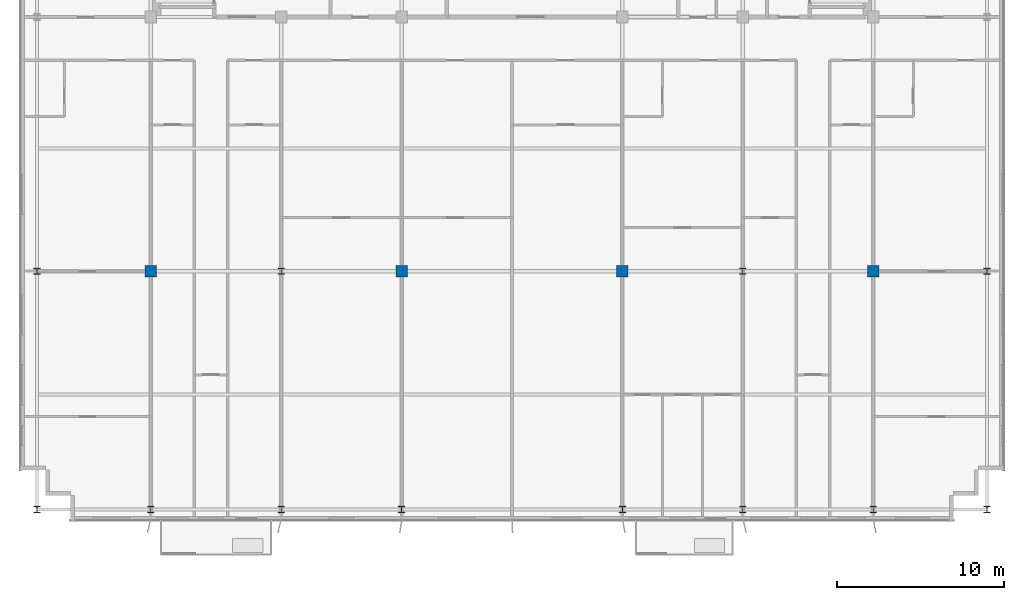
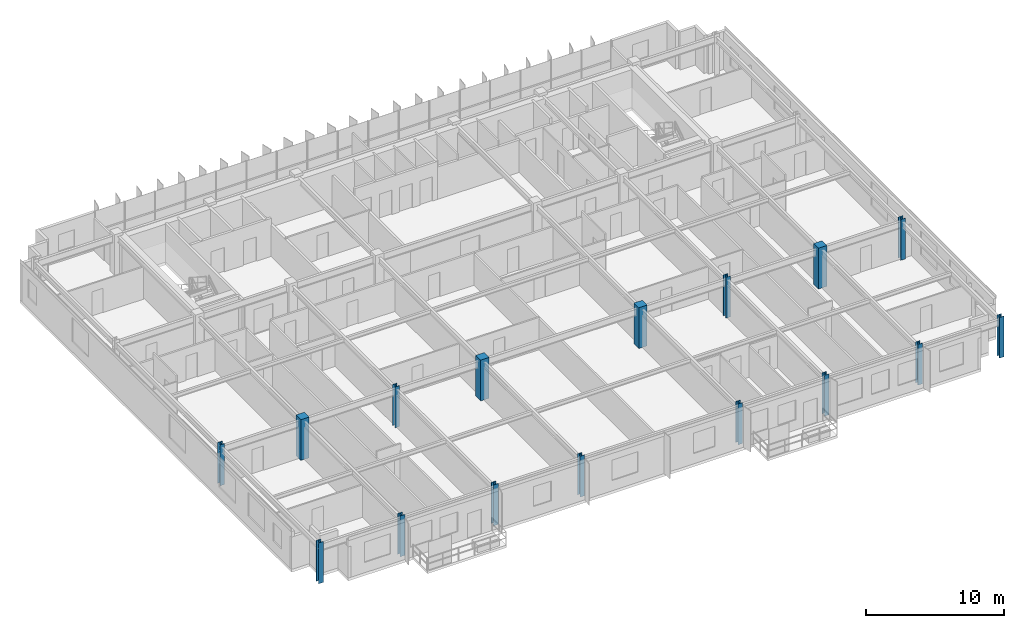
# One storey, part 1 of 20: 16 columns.
"""IFC4 building model written with IfcOpenShell, lengths in metres."""

from ifc_helpers import new_model, si_unit, direction, frame, origin, origin_2d, place, context, subcontext, project, spatial, rectangle, i_section, extrude, source, transform, mapped, material, material_profile, profile_set, type_object, element, save


model = new_model("IFC4")

# Units and contexts
model_context = context("Model", 3, precision=1e-05, world=origin(), true_north=direction((0.0, 1.0)))
body_context = subcontext(model_context, "Body", "Model", "MODEL_VIEW")
ifc_project = project(units=[si_unit("LENGTHUNIT", "METRE"), si_unit("AREAUNIT", "SQUARE_METRE"), si_unit("VOLUMEUNIT", "CUBIC_METRE"), si_unit("PLANEANGLEUNIT", "RADIAN"), si_unit("MASSUNIT", "GRAM", prefix="KILO")], contexts=[model_context])

# Site, building, storey
site_placement = place(None, origin())
site = spatial("IfcSite", under=ifc_project, at=site_placement, CompositionType="ELEMENT")
building_placement = place(site_placement, origin())
building = spatial("IfcBuilding", under=site, at=building_placement, Name="Trelvane Seafront Commons", CompositionType="ELEMENT")
storey_placement = place(building_placement, frame((0.0, 0.0, 164.5)))
storey = spatial("IfcBuildingStorey", under=building, at=storey_placement, Name="L43", CompositionType="ELEMENT", Elevation=164.5)

# Columns
ifc_material_1 = material(Name="Steel SM355 (S355)", Category="steel")
ifc_material_profile_1 = material_profile(ifc_material_1, i_section(OverallWidth=0.3798828125, OverallDepth=0.3798828125, WebThickness=0.02001953125, FlangeThickness=0.030029296875, at=origin_2d()), Name="HD-380x380x20x30")
ifc_profile_set_1 = profile_set([ifc_material_profile_1], Name="Steel SM355 (S355)")
column_type_1 = type_object("IfcColumnType", Name="STR-COL-HD380", PredefinedType="COLUMN", material=ifc_profile_set_1)
shared_shape_1 = source(origin(), body_context, "Body", "SweptSolid", [
    extrude(i_section(OverallWidth=0.3798828125, OverallDepth=0.3798828125, WebThickness=0.02001953125, FlangeThickness=0.030029296875, at=origin_2d()), origin(), (0.0, 0.0, 1.0), 3.60009765625),
])
for number, where, z_axis, x_axis, name in (
    (1, (8.800048828125, 3.949951171875, 0.0), (0.0, 0.0, 1.0), (1.0, 0.0, 0.0), "L43 Column TC-S8.8"),
    (2, (8.800048828125, 18.199951171875, 0.0), (0.0, 0.0, 1.0), (1.0, 0.0, 0.0), "L43 Column TC-M8.8"),
    (3, (15.60009765625, 3.949951171875, 0.0), (0.0, 0.0, 1.0), (1.0, 0.0, 0.0), "L43 Column TC-S15.6"),
    (4, (23.39990234375, 3.949951171875, 0.0), (0.0, 0.0, 1.0), (1.0, 0.0, 0.0), "L43 Column TC-S23.4"),
    (5, (23.39990234375, 18.199951171875, 0.0), (0.0, 0.0, 1.0), (1.0, 0.0, 0.0), "L43 Column TC-M23.4"),
    (6, (30.60009765625, 3.949951171875, 0.0), (0.0, 0.0, 1.0), (1.0, 0.0, 0.0), "L43 Column TC-S30.6"),
    (7, (43.800048828125, 3.949951171875, 0.0), (0.0, 0.0, 1.0), (1.0, 0.0, 0.0), "L43 Column TC-S43.8"),
    (8, (51.0, 3.949951171875, 0.0), (0.0, 0.0, 1.0), (1.0, 0.0, 0.0), "L43 Column TC-S51.0"),
    (9, (51.0, 18.199951171875, 0.0), (0.0, 0.0, 1.0), (1.0, 0.0, 0.0), "L43 Column TC-M51.0"),
    (10, (58.800048828125, 3.949951171875, 0.0), (0.0, 0.0, 1.0), (1.0, 0.0, 0.0), "L43 Column TC-S58.8"),
    (11, (65.60009765625, 3.949951171875, 0.0), (0.0, 0.0, 1.0), (1.0, 0.0, 0.0), "L43 Column TC-S65.6"),
    (12, (65.60009765625, 18.199951171875, 0.0), (0.0, 0.0, 1.0), (1.0, 0.0, 0.0), "L43 Column TC-M65.6"),
):
    element("IfcColumn", number, at=place(storey_placement, frame(where, z_axis=z_axis, x_axis=x_axis)), inside=storey, type_object=column_type_1, Name=name, PredefinedType="COLUMN", context=body_context, shape_type="MappedRepresentation", body=[
        mapped(shared_shape_1, transform((0.0, 0.0, 0.0), x_axis=(1.0, 0.0, 0.0), y_axis=(0.0, 1.0, 0.0), z_axis=(0.0, 0.0, 1.0), scale=1.0)),
    ])
ifc_material_2 = material(Name="Concrete C50/60", Category="concrete")
ifc_material_profile_2 = material_profile(ifc_material_2, rectangle(XDim=0.699951171875, YDim=0.699951171875, at=origin_2d()), Name="RC-700x700")
ifc_profile_set_2 = profile_set([ifc_material_profile_2], Name="Concrete C50/60")
column_type_2 = type_object("IfcColumnType", Name="STR-COL-RC700", PredefinedType="COLUMN", material=ifc_profile_set_2)
shared_shape_2 = source(origin(), body_context, "Body", "SweptSolid", [
    extrude(rectangle(XDim=0.699951171875, YDim=0.699951171875, at=origin_2d()), origin(), (0.0, 0.0, 1.0), 3.60009765625),
])
for number, where, z_axis, x_axis, name in (
    (13, (15.60009765625, 18.199951171875, 0.0), (0.0, 0.0, 1.0), (1.0, 0.0, 0.0), "L43 Column TC-M15.6"),
    (14, (30.60009765625, 18.199951171875, 0.0), (0.0, 0.0, 1.0), (1.0, 0.0, 0.0), "L43 Column TC-M30.6"),
    (15, (43.800048828125, 18.199951171875, 0.0), (0.0, 0.0, 1.0), (1.0, 0.0, 0.0), "L43 Column TC-M43.8"),
    (16, (58.800048828125, 18.199951171875, 0.0), (0.0, 0.0, 1.0), (1.0, 0.0, 0.0), "L43 Column TC-M58.8"),
):
    element("IfcColumn", number, at=place(storey_placement, frame(where, z_axis=z_axis, x_axis=x_axis)), inside=storey, type_object=column_type_2, Name=name, PredefinedType="COLUMN", context=body_context, shape_type="MappedRepresentation", body=[
        mapped(shared_shape_2, transform((0.0, 0.0, 0.0), x_axis=(1.0, 0.0, 0.0), y_axis=(0.0, 1.0, 0.0), z_axis=(0.0, 0.0, 1.0), scale=1.0)),
    ])

save(model, "model.ifc")
